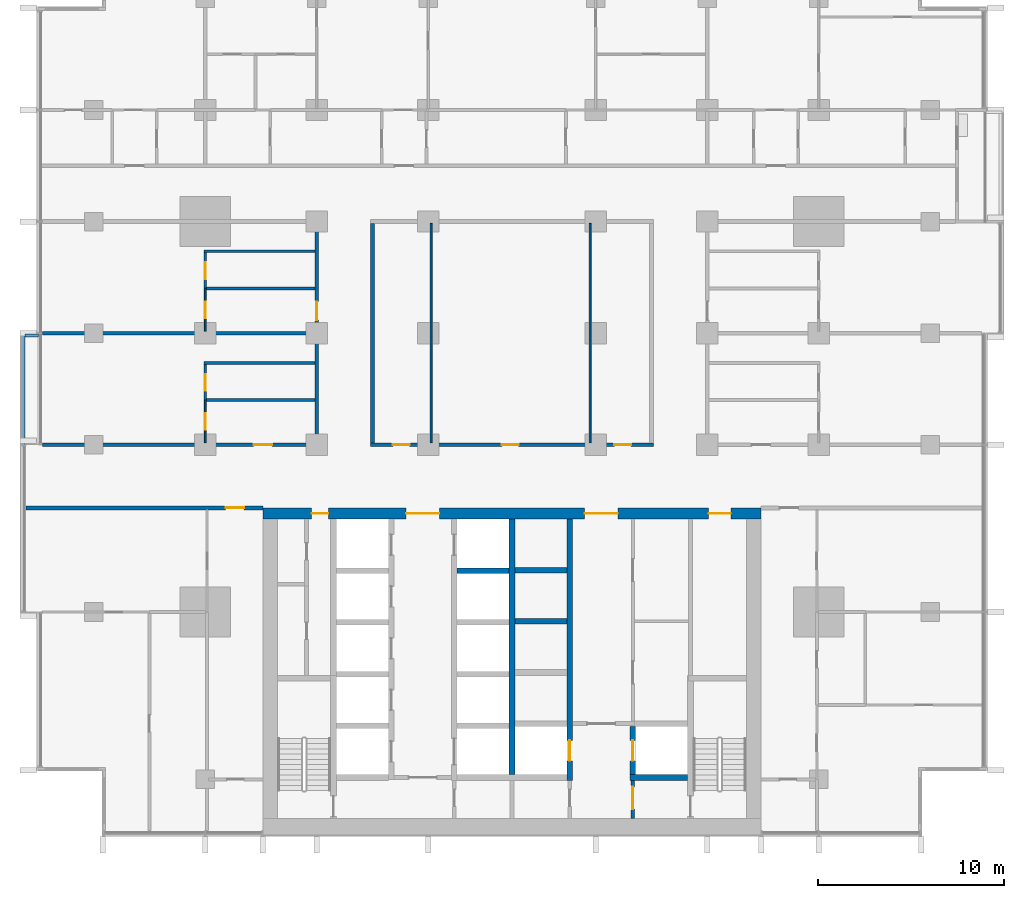
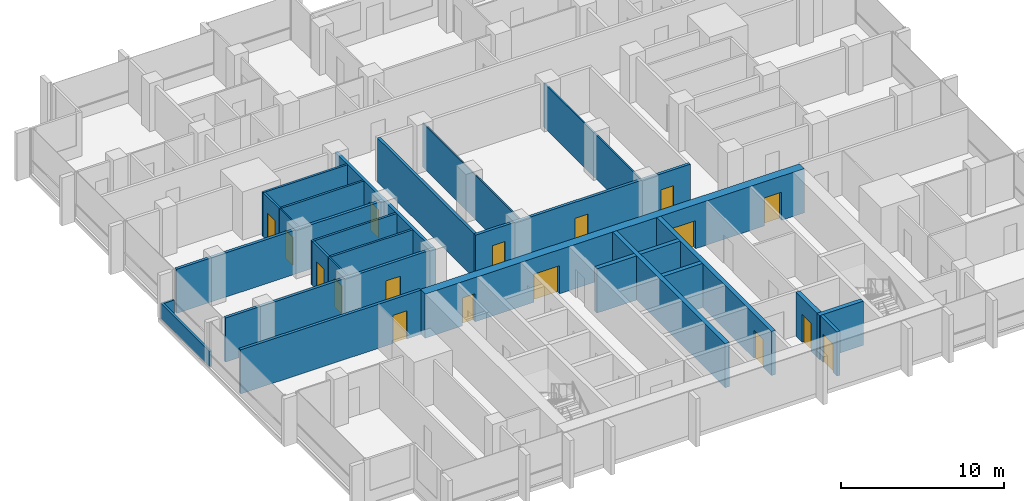
# One storey, part 8 of 17: 27 walls, 17 doors, 17 openings.
"""IFC4 building model written with IfcOpenShell, lengths in metres."""

import ifcopenshell
import ifcopenshell.guid

model = None  # the IFC model being written
_history = None  # IfcOwnerHistory: only IFC2X3 demands one
_inside = {}  # id of a spatial element -> (the spatial element, [elements in it])
_under = {}  # id of a project, library or spatial element -> (it, [spatial elements below it])
_declared = {}  # id of a project -> (the project, [libraries it declares])
_typed = {}  # id of a type object -> (the type object, [elements of that type])
_made_of = {}  # id of a material, layer set ... -> (it, [elements and type objects made of it])


def new_model(schema):
    """Start an empty IFC model of exactly this schema.

    Asked for "IFC4X3", IfcOpenShell would pick the latest addendum, in which some entities
    have other attributes; the version numbers below select the first issue.
    IFC2X3 requires an IfcOwnerHistory on every rooted entity: one is made here for all.
    """
    global model, _history
    if schema == "IFC4X3":
        model = ifcopenshell.file(schema_version=(4, 3, 0, 0))
    else:
        model = ifcopenshell.file(schema=schema)
    _inside.clear()
    _under.clear()
    _declared.clear()
    _typed.clear()
    _made_of.clear()
    _history = None
    if model.schema == "IFC2X3":
        org = make("IfcOrganization", Name="unknown")
        user = make(
            "IfcPersonAndOrganization",
            ThePerson=make("IfcPerson", FamilyName="unknown"),
            TheOrganization=org,
        )
        app = make(
            "IfcApplication",
            ApplicationDeveloper=org,
            Version="unknown",
            ApplicationFullName="unknown",
            ApplicationIdentifier="unknown",
        )
        _history = make(
            "IfcOwnerHistory",
            OwningUser=user,
            OwningApplication=app,
            ChangeAction="ADDED",
            CreationDate=0,
        )
    return model


def make(cls, **values):
    """One entity of the class cls with the attributes given. An attribute that is None is left unset."""
    return model.create_entity(
        cls, **{name: value for name, value in values.items() if value is not None}
    )


def rooted(cls, **values):
    """An entity with a GlobalId (a new one), such as an element, a storey or a relation."""
    return make(cls, GlobalId=ifcopenshell.guid.new(), OwnerHistory=_history, **values)


def si_unit(unit_type, name, prefix=None):
    """IfcSIUnit, for example si_unit("LENGTHUNIT", "METRE", prefix="MILLI")."""
    return make("IfcSIUnit", UnitType=unit_type, Prefix=prefix, Name=name)


def assignment(units):
    """IfcUnitAssignment: the units of a project."""
    return None if units is None else make("IfcUnitAssignment", Units=units)


def point(xyz):
    """IfcCartesianPoint."""
    return None if xyz is None else make("IfcCartesianPoint", Coordinates=xyz)


def direction(xyz):
    """IfcDirection."""
    return None if xyz is None else make("IfcDirection", DirectionRatios=xyz)


def frame(location, z_axis=None, x_axis=None):
    """IfcAxis2Placement3D, a coordinate frame: its origin and axes. An axis left out is left unset."""
    return make(
        "IfcAxis2Placement3D",
        Location=point(location),
        Axis=direction(z_axis),
        RefDirection=direction(x_axis),
    )


def frame_2d(location, x_axis=None):
    """IfcAxis2Placement2D, a coordinate frame in the plane: its origin and x axis."""
    return make(
        "IfcAxis2Placement2D", Location=point(location), RefDirection=direction(x_axis)
    )


def origin():
    """The frame at (0, 0, 0) with its axes left unset."""
    return frame((0.0, 0.0, 0.0))


def place(relative_to, where):
    """IfcLocalPlacement: puts the frame where relative to a parent placement (None: the world)."""
    return make(
        "IfcLocalPlacement", PlacementRelTo=relative_to, RelativePlacement=where
    )


def context(
    kind, dimensions, precision=None, world=None, true_north=None, identifier=None
):
    """IfcGeometricRepresentationContext, for example the 3D "Model" context."""
    return make(
        "IfcGeometricRepresentationContext",
        ContextIdentifier=identifier,
        ContextType=kind,
        CoordinateSpaceDimension=dimensions,
        Precision=precision,
        WorldCoordinateSystem=world,
        TrueNorth=true_north,
    )


def subcontext(parent, identifier, kind, view, scale=None):
    """IfcGeometricRepresentationSubContext, for example "Body" below "Model"."""
    return make(
        "IfcGeometricRepresentationSubContext",
        ContextIdentifier=identifier,
        ContextType=kind,
        ParentContext=parent,
        TargetScale=scale,
        TargetView=view,
    )


def project(units=None, contexts=None):
    """IfcProject with its units and contexts."""
    return rooted(
        "IfcProject",
        Name="project",
        RepresentationContexts=contexts,
        UnitsInContext=assignment(units),
    )


def spatial(cls, under=None, at=None, **own):
    """A site, building, storey or space (cls), placed at a placement, below another one or the project."""
    s = rooted(cls, ObjectPlacement=at, **own)
    if under is not None:
        _under.setdefault(under.id(), (under, []))[1].append(s)
    return s


def profile(cls, at=None, kind="AREA", **sizes):
    """A parametric profile (cls). Its sizes go by their IFC names, for example OverallWidth=200.0."""
    return make(cls, ProfileType=kind, Position=at, **sizes)


def rectangle(**sizes):
    """IfcRectangleProfileDef."""
    return profile("IfcRectangleProfileDef", **sizes)


def extrude(swept, where, along, depth):
    """IfcExtrudedAreaSolid: the profile swept, set in the frame where, extruded along a direction by depth."""
    return make(
        "IfcExtrudedAreaSolid",
        SweptArea=swept,
        Position=where,
        ExtrudedDirection=direction(along),
        Depth=depth,
    )


def shape(context_of_items, identifier, shape_type, items):
    """IfcShapeRepresentation: the items that make up one representation, for example the "Body"."""
    return make(
        "IfcShapeRepresentation",
        ContextOfItems=context_of_items,
        RepresentationIdentifier=identifier,
        RepresentationType=shape_type,
        Items=items,
    )


def material(Name=None, Category=None):
    """IfcMaterial."""
    return make("IfcMaterial", Name=Name, Category=Category)


def layer(
    of_material, thickness, ventilated=None, Name=None, Category=None, Priority=None
):
    """IfcMaterialLayer: one layer of a wall or slab, of a material (None: an air gap)."""
    return make(
        "IfcMaterialLayer",
        Material=of_material,
        LayerThickness=thickness,
        IsVentilated=ventilated,
        Name=Name,
        Category=Category,
        Priority=Priority,
    )


def layer_set(layers, Name=None):
    """IfcMaterialLayerSet."""
    return make("IfcMaterialLayerSet", MaterialLayers=layers, LayerSetName=Name)


def made_of(thing, what):
    """Note that an element or type object is made of a material, layer set ...; save() writes the relation."""
    if what is not None:
        _made_of.setdefault(what.id(), (what, []))[1].append(thing)
    return thing


def type_object(cls, material=None, **own):
    """A type object (cls), such as IfcWallType, which elements share."""
    return made_of(rooted(cls, **own), material)


def element(
    cls,
    number,
    at=None,
    inside=None,
    cuts=None,
    type_object=None,
    material=None,
    context=None,
    identifier="Body",
    shape_type=None,
    held_by="IfcProductDefinitionShape",
    body=None,
    shapes=None,
    **own,
):
    """One element of the class cls, such as IfcWall. Its Tag is "e" and its number.

    at: its placement. inside: the storey or other place that contains it. cuts: it is an
    opening in that element (IfcRelVoidsElement). A single representation is given by context,
    identifier, shape_type and body (its items); several are given by shapes. held_by: the class
    of the entity that holds the representations. save() writes the other relations.
    """
    e = rooted(cls, Tag="e%d" % number, ObjectPlacement=at, **own)
    if body is not None:
        shapes = [shape(context, identifier, shape_type, body)]
    if shapes is not None:
        e.Representation = make(held_by, Representations=shapes)
    if inside is not None:
        _inside.setdefault(inside.id(), (inside, []))[1].append(e)
    if cuts is not None:
        rooted(
            "IfcRelVoidsElement", RelatingBuildingElement=cuts, RelatedOpeningElement=e
        )
    if type_object is not None:
        _typed.setdefault(type_object.id(), (type_object, []))[1].append(e)
    return made_of(e, material)


def fill(opening, filler):
    """IfcRelFillsElement: the door or window that sits in an opening."""
    return rooted(
        "IfcRelFillsElement",
        RelatingOpeningElement=opening,
        RelatedBuildingElement=filler,
    )


def aggregate(whole, parts):
    """IfcRelAggregates: a whole, such as a stair, and the parts it consists of."""
    return rooted("IfcRelAggregates", RelatingObject=whole, RelatedObjects=parts)


def save(model, path):
    """Write the relations noted so far, then the file.

    IfcRelAggregates (storeys below a building ...), IfcRelContainedInSpatialStructure (elements
    in a storey), IfcRelDefinesByType, IfcRelAssociatesMaterial and IfcRelDeclares: one each for
    every whole, place, type object, material and project.
    """
    for whole, parts in _under.values():
        aggregate(whole, parts)
    for where, things in _inside.values():
        rooted(
            "IfcRelContainedInSpatialStructure",
            RelatedElements=things,
            RelatingStructure=where,
        )
    for kind, things in _typed.values():
        rooted("IfcRelDefinesByType", RelatedObjects=things, RelatingType=kind)
    for what, things in _made_of.values():
        rooted("IfcRelAssociatesMaterial", RelatedObjects=things, RelatingMaterial=what)
    for by, libraries in _declared.values():
        rooted("IfcRelDeclares", RelatingContext=by, RelatedDefinitions=libraries)
    model.write(path)


model = new_model("IFC4")

# Units and contexts
model_context = context("Model", 3, precision=1e-05, world=origin(), true_north=direction((0.0, 1.0)))
body_context = subcontext(model_context, "Body", "Model", "MODEL_VIEW")
ifc_project = project(units=[si_unit("LENGTHUNIT", "METRE"), si_unit("AREAUNIT", "SQUARE_METRE"), si_unit("VOLUMEUNIT", "CUBIC_METRE"), si_unit("PLANEANGLEUNIT", "RADIAN"), si_unit("MASSUNIT", "GRAM", prefix="KILO")], contexts=[model_context])

# Site, building, storey
site_placement = place(None, origin())
site = spatial("IfcSite", under=ifc_project, at=site_placement, CompositionType="ELEMENT")
building_placement = place(site_placement, origin())
building = spatial("IfcBuilding", under=site, at=building_placement, Name="Finial Court Residences", CompositionType="ELEMENT")
storey_placement = place(building_placement, frame((0.0, 0.0, 124.300048828125)))
storey = spatial("IfcBuildingStorey", under=building, at=storey_placement, Name="L31", CompositionType="ELEMENT", Elevation=124.300048828125)

# Wall
ifc_material_1 = material(Name="Gypsum board")
ifc_layer_1 = layer(ifc_material_1, 0.02490234375)
ifc_material_2 = material(Name="Acoustic mineral wool in double frame")
ifc_layer_2 = layer(ifc_material_2, 0.14990234375)
ifc_layer_3 = layer(ifc_material_1, 0.02490234375)
ifc_layer_set_1 = layer_set([ifc_layer_1, ifc_layer_2, ifc_layer_3], Name="Acoustic party wall 200, 1 hour")
wall_type_1 = type_object("IfcWallType", Name="Acoustic party wall 200, 1 hour", PredefinedType="PARTITIONING", material=ifc_layer_set_1)
wall_1_placement = place(storey_placement, frame((-25.25, 1.5, 0.0), z_axis=(0.0, 0.0, 1.0), x_axis=(1.0, 0.0, 0.0)))
element("IfcWall", 1, at=wall_1_placement, inside=storey, type_object=wall_type_1, Name="Partition L31-017", PredefinedType="PARTITIONING", context=body_context, shape_type="SweptSolid", body=[
    extrude(rectangle(XDim=14.64990234375, YDim=0.199951171875, at=frame_2d((7.324951171875, 0.0))), origin(), (0.0, 0.0, 1.0), 3.300048828125),
])

# Wall, openings, doors
ifc_material_3 = material(Name="Concrete C70/85", Category="concrete")
ifc_layer_4 = layer(ifc_material_3, 0.60009765625)
ifc_layer_set_2 = layer_set([ifc_layer_4], Name="Core outer wall 600 Concrete C70/85")
wall_type_2 = type_object("IfcWallType", Name="Core outer wall 600 Concrete C70/85", PredefinedType="SHEAR", material=ifc_layer_set_2)
wall_2_placement = place(storey_placement, frame((-13.39990234375, -8.199951171875, 0.0), z_axis=(0.0, 0.0, 1.0), x_axis=(1.0, 0.0, 0.0)))
wall_2 = element("IfcWall", 2, at=wall_2_placement, inside=storey, type_object=wall_type_2, Name="Core outer wall L31-02", PredefinedType="SHEAR", context=body_context, shape_type="SweptSolid", body=[
    extrude(rectangle(XDim=26.7998046875, YDim=0.60009765625, at=frame_2d((13.39990234375, 0.0))), origin(), (0.0, 0.0, 1.0), 3.300048828125),
])
opening_1_placement = place(wall_2_placement, frame((7.699951171875, 0.0, 0.0)))
opening_1 = element("IfcOpeningElement", 3, at=opening_1_placement, cuts=wall_2, Name="Opening L31-C04", PredefinedType="OPENING", context=body_context, shape_type="SweptSolid", body=[
    extrude(rectangle(XDim=1.800048828125, YDim=2.10009765625, at=frame_2d((0.89990234375, 1.050048828125))), frame((0.0, 0.31005859375, 0.0), z_axis=(0.0, -1.0, 0.0), x_axis=(1.0, 0.0, 0.0)), (0.0, 0.0, 1.0), 0.6201171875),
])
opening_2_placement = place(wall_2_placement, frame((17.300048828125, 0.0, 0.0)))
opening_2 = element("IfcOpeningElement", 4, at=opening_2_placement, cuts=wall_2, Name="Opening L31-C05", PredefinedType="OPENING", context=body_context, shape_type="SweptSolid", body=[
    extrude(rectangle(XDim=1.800048828125, YDim=2.10009765625, at=frame_2d((0.89990234375, 1.050048828125))), frame((0.0, 0.31005859375, 0.0), z_axis=(0.0, -1.0, 0.0), x_axis=(1.0, 0.0, 0.0)), (0.0, 0.0, 1.0), 0.6201171875),
])
opening_3_placement = place(wall_2_placement, frame((2.625, 0.0, 0.0)))
opening_3 = element("IfcOpeningElement", 5, at=opening_3_placement, cuts=wall_2, Name="Opening L31-C08", PredefinedType="OPENING", context=body_context, shape_type="SweptSolid", body=[
    extrude(rectangle(XDim=0.89990234375, YDim=2.10009765625, at=frame_2d((0.449951171875, 1.050048828125))), frame((0.0, 0.31005859375, 0.0), z_axis=(0.0, -1.0, 0.0), x_axis=(1.0, 0.0, 0.0)), (0.0, 0.0, 1.0), 0.6201171875),
])
opening_4_placement = place(wall_2_placement, frame((23.97509765625, 0.0, 0.0)))
opening_4 = element("IfcOpeningElement", 6, at=opening_4_placement, cuts=wall_2, Name="Opening L31-C09", PredefinedType="OPENING", context=body_context, shape_type="SweptSolid", body=[
    extrude(rectangle(XDim=1.199951171875, YDim=2.10009765625, at=frame_2d((0.60009765625, 1.050048828125))), frame((0.0, 0.31005859375, 0.0), z_axis=(0.0, -1.0, 0.0), x_axis=(1.0, 0.0, 0.0)), (0.0, 0.0, 1.0), 0.6201171875),
])
ifc_material_4 = material(Name="Steel fire door", Category="steel")
door_type_1 = type_object("IfcDoorType", Name="Lift lobby door 1800 x 2100 EI 60", OperationType="DOUBLE_DOOR_SINGLE_SWING", PredefinedType="DOOR", material=ifc_material_4)
door_1_placement = place(opening_1_placement, origin())
door_1 = element("IfcDoor", 7, at=door_1_placement, inside=storey, type_object=door_type_1, Name="Lift lobby door L31-C04", OperationType="DOUBLE_DOOR_SINGLE_SWING", OverallHeight=2.10009765625, OverallWidth=1.800048828125, PredefinedType="DOOR", context=body_context, shape_type="SweptSolid", body=[
    extrude(rectangle(XDim=1.800048828125, YDim=2.10009765625, at=frame_2d((0.89990234375, 1.050048828125))), frame((0.0, 0.02490234375, 0.0), z_axis=(0.0, -1.0, 0.0), x_axis=(1.0, 0.0, 0.0)), (0.0, 0.0, 1.0), 0.050048828125),
])
fill(opening_1, door_1)
door_2_placement = place(opening_2_placement, origin())
door_2 = element("IfcDoor", 8, at=door_2_placement, inside=storey, type_object=door_type_1, Name="Lift lobby door L31-C05", OperationType="DOUBLE_DOOR_SINGLE_SWING", OverallHeight=2.10009765625, OverallWidth=1.800048828125, PredefinedType="DOOR", context=body_context, shape_type="SweptSolid", body=[
    extrude(rectangle(XDim=1.800048828125, YDim=2.10009765625, at=frame_2d((0.89990234375, 1.050048828125))), frame((0.0, 0.02490234375, 0.0), z_axis=(0.0, -1.0, 0.0), x_axis=(1.0, 0.0, 0.0)), (0.0, 0.0, 1.0), 0.050048828125),
])
fill(opening_2, door_2)
door_type_2 = type_object("IfcDoorType", Name="Riser room door 1200 x 2100 EI 90", OperationType="NOTDEFINED", PredefinedType="DOOR", material=ifc_material_4)
door_3_placement = place(opening_4_placement, origin())
door_3 = element("IfcDoor", 9, at=door_3_placement, inside=storey, type_object=door_type_2, Name="Riser room door L31-C09", OperationType="SINGLE_SWING_RIGHT", OverallHeight=2.10009765625, OverallWidth=1.199951171875, PredefinedType="DOOR", context=body_context, shape_type="SweptSolid", body=[
    extrude(rectangle(XDim=1.199951171875, YDim=2.10009765625, at=frame_2d((0.60009765625, 1.050048828125))), frame((0.0, 0.02490234375, 0.0), z_axis=(0.0, -1.0, 0.0), x_axis=(1.0, 0.0, 0.0)), (0.0, 0.0, 1.0), 0.050048828125),
])
fill(opening_4, door_3)
door_type_3 = type_object("IfcDoorType", Name="Riser room door 900 x 2100 EI 90", OperationType="NOTDEFINED", PredefinedType="DOOR", material=ifc_material_4)
door_4_placement = place(opening_3_placement, origin())
door_4 = element("IfcDoor", 10, at=door_4_placement, inside=storey, type_object=door_type_3, Name="Riser room door L31-C08", OperationType="SINGLE_SWING_RIGHT", OverallHeight=2.10009765625, OverallWidth=0.89990234375, PredefinedType="DOOR", context=body_context, shape_type="SweptSolid", body=[
    extrude(rectangle(XDim=0.89990234375, YDim=2.10009765625, at=frame_2d((0.449951171875, 1.050048828125))), frame((0.0, 0.02490234375, 0.0), z_axis=(0.0, -1.0, 0.0), x_axis=(1.0, 0.0, 0.0)), (0.0, 0.0, 1.0), 0.050048828125),
])
fill(opening_3, door_4)

# Wall, opening, door
ifc_layer_5 = layer(ifc_material_1, 0.02490234375)
ifc_layer_6 = layer(ifc_material_2, 0.14990234375)
ifc_layer_7 = layer(ifc_material_1, 0.02490234375)
ifc_layer_set_3 = layer_set([ifc_layer_5, ifc_layer_6, ifc_layer_7], Name="Corridor wall 200, 1 hour")
wall_type_3 = type_object("IfcWallType", Name="Corridor wall 200, 1 hour", PredefinedType="PARTITIONING", material=ifc_layer_set_3)
wall_3_placement = place(storey_placement, frame((-26.14990234375, -7.89990234375, 0.0), z_axis=(0.0, 0.0, 1.0), x_axis=(1.0, 0.0, 0.0)))
wall_3 = element("IfcWall", 11, at=wall_3_placement, inside=storey, type_object=wall_type_3, Name="Partition L31-008", PredefinedType="PARTITIONING", context=body_context, shape_type="SweptSolid", body=[
    extrude(rectangle(XDim=12.75, YDim=0.199951171875, at=frame_2d((6.375, 0.0))), origin(), (0.0, 0.0, 1.0), 3.300048828125),
])
opening_5_placement = place(wall_3_placement, frame((10.75, 0.0, 0.0)))
opening_5 = element("IfcOpeningElement", 12, at=opening_5_placement, cuts=wall_3, Name="Opening L31-D005", PredefinedType="OPENING", context=body_context, shape_type="SweptSolid", body=[
    extrude(rectangle(XDim=1.0, YDim=2.10009765625, at=frame_2d((0.5, 1.050048828125))), frame((0.0, 0.10986328125, 0.0), z_axis=(0.0, -1.0, 0.0), x_axis=(1.0, 0.0, 0.0)), (0.0, 0.0, 1.0), 0.219970703125),
])
ifc_material_5 = material(Name="Timber door leaf in hollow metal frame", Category="wood")
door_type_4 = type_object("IfcDoorType", Name="Fire door set 1000 x 2100, 30 minutes", OperationType="SINGLE_SWING_LEFT", PredefinedType="DOOR", material=ifc_material_5)
door_5_placement = place(opening_5_placement, origin())
door_5 = element("IfcDoor", 13, at=door_5_placement, inside=storey, type_object=door_type_4, Name="Door L31-D005", OperationType="SINGLE_SWING_RIGHT", OverallHeight=2.10009765625, OverallWidth=1.0, PredefinedType="DOOR", context=body_context, shape_type="SweptSolid", body=[
    extrude(rectangle(XDim=1.0, YDim=2.10009765625, at=frame_2d((0.5, 1.050048828125))), frame((0.0, 0.02490234375, 0.0), z_axis=(0.0, -1.0, 0.0), x_axis=(1.0, 0.0, 0.0)), (0.0, 0.0, 1.0), 0.050048828125),
])
fill(opening_5, door_5)

wall_4_placement = place(storey_placement, frame((-25.25, -4.5, 0.0), z_axis=(0.0, 0.0, 1.0), x_axis=(1.0, 0.0, 0.0)))
wall_4 = element("IfcWall", 14, at=wall_4_placement, inside=storey, type_object=wall_type_3, Name="Partition L31-010", PredefinedType="PARTITIONING", context=body_context, shape_type="SweptSolid", body=[
    extrude(rectangle(XDim=14.85009765625, YDim=0.199951171875, at=frame_2d((7.425048828125, 0.0))), origin(), (0.0, 0.0, 1.0), 3.300048828125),
])
opening_6_placement = place(wall_4_placement, frame((11.35009765625, 0.0, 0.0)))
opening_6 = element("IfcOpeningElement", 15, at=opening_6_placement, cuts=wall_4, Name="Opening L31-D007", PredefinedType="OPENING", context=body_context, shape_type="SweptSolid", body=[
    extrude(rectangle(XDim=1.0, YDim=2.10009765625, at=frame_2d((0.5, 1.050048828125))), frame((0.0, 0.10986328125, 0.0), z_axis=(0.0, -1.0, 0.0), x_axis=(1.0, 0.0, 0.0)), (0.0, 0.0, 1.0), 0.219970703125),
])
door_6_placement = place(opening_6_placement, origin())
door_6 = element("IfcDoor", 16, at=door_6_placement, inside=storey, type_object=door_type_4, Name="Door L31-D007", OperationType="SINGLE_SWING_LEFT", OverallHeight=2.10009765625, OverallWidth=1.0, PredefinedType="DOOR", context=body_context, shape_type="SweptSolid", body=[
    extrude(rectangle(XDim=1.0, YDim=2.10009765625, at=frame_2d((0.5, 1.050048828125))), frame((0.0, 0.02490234375, 0.0), z_axis=(0.0, -1.0, 0.0), x_axis=(1.0, 0.0, 0.0)), (0.0, 0.0, 1.0), 0.050048828125),
])
fill(opening_6, door_6)

# Wall, openings, doors
wall_5_placement = place(storey_placement, frame((-7.60009765625, -4.5, 0.0), z_axis=(0.0, 0.0, 1.0), x_axis=(1.0, 0.0, 0.0)))
wall_5 = element("IfcWall", 17, at=wall_5_placement, inside=storey, type_object=wall_type_3, Name="Partition L31-011", PredefinedType="PARTITIONING", context=body_context, shape_type="SweptSolid", body=[
    extrude(rectangle(XDim=15.2001953125, YDim=0.199951171875, at=frame_2d((7.60009765625, 0.0))), origin(), (0.0, 0.0, 1.0), 3.300048828125),
])
opening_7_placement = place(wall_5_placement, frame((1.199951171875, 0.0, 0.0)))
opening_7 = element("IfcOpeningElement", 18, at=opening_7_placement, cuts=wall_5, Name="Opening L31-D008", PredefinedType="OPENING", context=body_context, shape_type="SweptSolid", body=[
    extrude(rectangle(XDim=0.89990234375, YDim=2.10009765625, at=frame_2d((0.449951171875, 1.050048828125))), frame((0.0, 0.10986328125, 0.0), z_axis=(0.0, -1.0, 0.0), x_axis=(1.0, 0.0, 0.0)), (0.0, 0.0, 1.0), 0.219970703125),
])
opening_8_placement = place(wall_5_placement, frame((7.050048828125, 0.0, 0.0)))
opening_8 = element("IfcOpeningElement", 19, at=opening_8_placement, cuts=wall_5, Name="Opening L31-D009", PredefinedType="OPENING", context=body_context, shape_type="SweptSolid", body=[
    extrude(rectangle(XDim=0.89990234375, YDim=2.10009765625, at=frame_2d((0.449951171875, 1.050048828125))), frame((0.0, 0.10986328125, 0.0), z_axis=(0.0, -1.0, 0.0), x_axis=(1.0, 0.0, 0.0)), (0.0, 0.0, 1.0), 0.219970703125),
])
opening_9_placement = place(wall_5_placement, frame((13.10009765625, 0.0, 0.0)))
opening_9 = element("IfcOpeningElement", 20, at=opening_9_placement, cuts=wall_5, Name="Opening L31-D010", PredefinedType="OPENING", context=body_context, shape_type="SweptSolid", body=[
    extrude(rectangle(XDim=0.89990234375, YDim=2.10009765625, at=frame_2d((0.449951171875, 1.050048828125))), frame((0.0, 0.10986328125, 0.0), z_axis=(0.0, -1.0, 0.0), x_axis=(1.0, 0.0, 0.0)), (0.0, 0.0, 1.0), 0.219970703125),
])
door_type_5 = type_object("IfcDoorType", Name="Fire door set 900 x 2100, 30 minutes", OperationType="SINGLE_SWING_LEFT", PredefinedType="DOOR", material=ifc_material_5)
door_7_placement = place(opening_7_placement, origin())
door_7 = element("IfcDoor", 21, at=door_7_placement, inside=storey, type_object=door_type_5, Name="Door L31-D008", OperationType="SINGLE_SWING_RIGHT", OverallHeight=2.10009765625, OverallWidth=0.89990234375, PredefinedType="DOOR", context=body_context, shape_type="SweptSolid", body=[
    extrude(rectangle(XDim=0.89990234375, YDim=2.10009765625, at=frame_2d((0.449951171875, 1.050048828125))), frame((0.0, 0.02490234375, 0.0), z_axis=(0.0, -1.0, 0.0), x_axis=(1.0, 0.0, 0.0)), (0.0, 0.0, 1.0), 0.050048828125),
])
fill(opening_7, door_7)
door_8_placement = place(opening_8_placement, origin())
door_8 = element("IfcDoor", 22, at=door_8_placement, inside=storey, type_object=door_type_5, Name="Door L31-D009", OperationType="SINGLE_SWING_RIGHT", OverallHeight=2.10009765625, OverallWidth=0.89990234375, PredefinedType="DOOR", context=body_context, shape_type="SweptSolid", body=[
    extrude(rectangle(XDim=0.89990234375, YDim=2.10009765625, at=frame_2d((0.449951171875, 1.050048828125))), frame((0.0, 0.02490234375, 0.0), z_axis=(0.0, -1.0, 0.0), x_axis=(1.0, 0.0, 0.0)), (0.0, 0.0, 1.0), 0.050048828125),
])
fill(opening_8, door_8)
door_9_placement = place(opening_9_placement, origin())
door_9 = element("IfcDoor", 23, at=door_9_placement, inside=storey, type_object=door_type_5, Name="Door L31-D010", OperationType="SINGLE_SWING_LEFT", OverallHeight=2.10009765625, OverallWidth=0.89990234375, PredefinedType="DOOR", context=body_context, shape_type="SweptSolid", body=[
    extrude(rectangle(XDim=0.89990234375, YDim=2.10009765625, at=frame_2d((0.449951171875, 1.050048828125))), frame((0.0, 0.02490234375, 0.0), z_axis=(0.0, -1.0, 0.0), x_axis=(1.0, 0.0, 0.0)), (0.0, 0.0, 1.0), 0.050048828125),
])
fill(opening_9, door_9)

# Wall, opening, door
wall_6_placement = place(storey_placement, frame((-10.5, -4.39990234375, 0.0), z_axis=(0.0, 0.0, 1.0), x_axis=(0.0, 1.0, 0.0)))
wall_6 = element("IfcWall", 24, at=wall_6_placement, inside=storey, type_object=wall_type_3, Name="Partition L31-056", PredefinedType="PARTITIONING", context=body_context, shape_type="SweptSolid", body=[
    extrude(rectangle(XDim=11.7998046875, YDim=0.199951171875, at=frame_2d((5.89990234375, 0.0))), origin(), (0.0, 0.0, 1.0), 3.300048828125),
])
opening_10_placement = place(wall_6_placement, frame((6.60009765625, 0.0, 0.0)))
opening_10 = element("IfcOpeningElement", 25, at=opening_10_placement, cuts=wall_6, Name="Opening L31-D031", PredefinedType="OPENING", context=body_context, shape_type="SweptSolid", body=[
    extrude(rectangle(XDim=1.0, YDim=2.10009765625, at=frame_2d((0.5, 1.050048828125))), frame((0.0, 0.10986328125, 0.0), z_axis=(0.0, -1.0, 0.0), x_axis=(1.0, 0.0, 0.0)), (0.0, 0.0, 1.0), 0.219970703125),
])
door_10_placement = place(opening_10_placement, origin())
door_10 = element("IfcDoor", 26, at=door_10_placement, inside=storey, type_object=door_type_4, Name="Door L31-D031", OperationType="SINGLE_SWING_LEFT", OverallHeight=2.10009765625, OverallWidth=1.0, PredefinedType="DOOR", context=body_context, shape_type="SweptSolid", body=[
    extrude(rectangle(XDim=1.0, YDim=2.10009765625, at=frame_2d((0.5, 1.050048828125))), frame((0.0, 0.02490234375, 0.0), z_axis=(0.0, -1.0, 0.0), x_axis=(1.0, 0.0, 0.0)), (0.0, 0.0, 1.0), 0.050048828125),
])
fill(opening_10, door_10)

# Wall
wall_7_placement = place(storey_placement, frame((-7.5, -4.39990234375, 0.0), z_axis=(0.0, 0.0, 1.0), x_axis=(0.0, 1.0, 0.0)))
element("IfcWall", 27, at=wall_7_placement, inside=storey, type_object=wall_type_3, Name="Partition L31-058", PredefinedType="PARTITIONING", context=body_context, shape_type="SweptSolid", body=[
    extrude(rectangle(XDim=11.7998046875, YDim=0.199951171875, at=frame_2d((5.89990234375, 0.0))), origin(), (0.0, 0.0, 1.0), 3.300048828125),
])

# Wall, opening, door
ifc_material_6 = material(Name="Fire-rated gypsum board partition")
ifc_layer_8 = layer(ifc_material_6, 0.199951171875)
ifc_layer_set_4 = layer_set([ifc_layer_8], Name="Firefighting lobby wall 200 EI 120")
wall_type_4 = type_object("IfcWallType", Name="Firefighting lobby wall 200 EI 120", PredefinedType="PARTITIONING", material=ifc_layer_set_4)
wall_8_placement = place(storey_placement, frame((6.5, -22.550048828125, 0.0), z_axis=(0.0, 0.0, 1.0), x_axis=(0.0, -1.0, 0.0)))
wall_8 = element("IfcWall", 28, at=wall_8_placement, inside=storey, type_object=wall_type_4, Name="Core partition L31-34", PredefinedType="PARTITIONING", context=body_context, shape_type="SweptSolid", body=[
    extrude(rectangle(XDim=2.050048828125, YDim=0.199951171875, at=frame_2d((1.02490234375, 0.0))), origin(), (0.0, 0.0, 1.0), 3.300048828125),
])
opening_11_placement = place(wall_8_placement, frame((0.35009765625, 0.0, 0.0)))
opening_11 = element("IfcOpeningElement", 29, at=opening_11_placement, cuts=wall_8, Name="Opening L31-C01", PredefinedType="OPENING", context=body_context, shape_type="SweptSolid", body=[
    extrude(rectangle(XDim=1.199951171875, YDim=2.10009765625, at=frame_2d((0.60009765625, 1.050048828125))), frame((0.0, 0.10986328125, 0.0), z_axis=(0.0, -1.0, 0.0), x_axis=(1.0, 0.0, 0.0)), (0.0, 0.0, 1.0), 0.219970703125),
])
door_type_6 = type_object("IfcDoorType", Name="Firefighting lobby door 1200 x 2100 EI 90", OperationType="NOTDEFINED", PredefinedType="DOOR", material=ifc_material_4)
door_11_placement = place(opening_11_placement, origin())
door_11 = element("IfcDoor", 30, at=door_11_placement, inside=storey, type_object=door_type_6, Name="Firefighting lobby door L31-C01", OperationType="SINGLE_SWING_RIGHT", OverallHeight=2.10009765625, OverallWidth=1.199951171875, PredefinedType="DOOR", context=body_context, shape_type="SweptSolid", body=[
    extrude(rectangle(XDim=1.199951171875, YDim=2.10009765625, at=frame_2d((0.60009765625, 1.050048828125))), frame((0.0, 0.02490234375, 0.0), z_axis=(0.0, -1.0, 0.0), x_axis=(1.0, 0.0, 0.0)), (0.0, 0.0, 1.0), 0.050048828125),
])
fill(opening_11, door_11)

ifc_layer_9 = layer(ifc_material_1, 0.012451171875)
ifc_material_7 = material(Name="Mineral wool in light-gauge frame")
ifc_layer_10 = layer(ifc_material_7, 0.074951171875)
ifc_layer_11 = layer(ifc_material_1, 0.012451171875)
ifc_layer_set_5 = layer_set([ifc_layer_9, ifc_layer_10, ifc_layer_11], Name="Gypsum board partition 100")
wall_type_5 = type_object("IfcWallType", Name="Gypsum board partition 100", PredefinedType="PARTITIONING", material=ifc_layer_set_5)
wall_9_placement = place(storey_placement, frame((-16.5, -4.39990234375, 0.0), z_axis=(0.0, 0.0, 1.0), x_axis=(0.0, 1.0, 0.0)))
wall_9 = element("IfcWall", 31, at=wall_9_placement, inside=storey, type_object=wall_type_5, Name="Partition L31-046", PredefinedType="PARTITIONING", context=body_context, shape_type="SweptSolid", body=[
    extrude(rectangle(XDim=2.2998046875, YDim=0.10009765625, at=frame_2d((1.14990234375, 0.0))), origin(), (0.0, 0.0, 1.0), 3.300048828125),
])
opening_12_placement = place(wall_9_placement, frame((0.699951171875, 0.0, 0.0)))
opening_12 = element("IfcOpeningElement", 32, at=opening_12_placement, cuts=wall_9, Name="Opening L31-D025", PredefinedType="OPENING", context=body_context, shape_type="SweptSolid", body=[
    extrude(rectangle(XDim=0.89990234375, YDim=2.10009765625, at=frame_2d((0.449951171875, 1.050048828125))), frame((0.0, 0.06005859375, 0.0), z_axis=(0.0, -1.0, 0.0), x_axis=(1.0, 0.0, 0.0)), (0.0, 0.0, 1.0), 0.1201171875),
])
ifc_material_8 = material(Name="Timber door leaf in timber frame", Category="wood")
door_type_7 = type_object("IfcDoorType", Name="Door set 900 x 2100", OperationType="SINGLE_SWING_LEFT", PredefinedType="DOOR", material=ifc_material_8)
door_12_placement = place(opening_12_placement, origin())
door_12 = element("IfcDoor", 33, at=door_12_placement, inside=storey, type_object=door_type_7, Name="Door L31-D025", OperationType="SINGLE_SWING_RIGHT", OverallHeight=2.10009765625, OverallWidth=0.89990234375, PredefinedType="DOOR", context=body_context, shape_type="SweptSolid", body=[
    extrude(rectangle(XDim=0.89990234375, YDim=2.10009765625, at=frame_2d((0.449951171875, 1.050048828125))), frame((0.0, 0.02490234375, 0.0), z_axis=(0.0, -1.0, 0.0), x_axis=(1.0, 0.0, 0.0)), (0.0, 0.0, 1.0), 0.050048828125),
])
fill(opening_12, door_12)

wall_10_placement = place(storey_placement, frame((-16.5, 1.60009765625, 0.0), z_axis=(0.0, 0.0, 1.0), x_axis=(0.0, 1.0, 0.0)))
wall_10 = element("IfcWall", 34, at=wall_10_placement, inside=storey, type_object=wall_type_5, Name="Partition L31-047", PredefinedType="PARTITIONING", context=body_context, shape_type="SweptSolid", body=[
    extrude(rectangle(XDim=2.2998046875, YDim=0.10009765625, at=frame_2d((1.14990234375, 0.0))), origin(), (0.0, 0.0, 1.0), 3.300048828125),
])
opening_13_placement = place(wall_10_placement, frame((0.699951171875, 0.0, 0.0)))
opening_13 = element("IfcOpeningElement", 35, at=opening_13_placement, cuts=wall_10, Name="Opening L31-D026", PredefinedType="OPENING", context=body_context, shape_type="SweptSolid", body=[
    extrude(rectangle(XDim=0.89990234375, YDim=2.10009765625, at=frame_2d((0.449951171875, 1.050048828125))), frame((0.0, 0.06005859375, 0.0), z_axis=(0.0, -1.0, 0.0), x_axis=(1.0, 0.0, 0.0)), (0.0, 0.0, 1.0), 0.1201171875),
])
door_13_placement = place(opening_13_placement, origin())
door_13 = element("IfcDoor", 36, at=door_13_placement, inside=storey, type_object=door_type_7, Name="Door L31-D026", OperationType="SINGLE_SWING_RIGHT", OverallHeight=2.10009765625, OverallWidth=0.89990234375, PredefinedType="DOOR", context=body_context, shape_type="SweptSolid", body=[
    extrude(rectangle(XDim=0.89990234375, YDim=2.10009765625, at=frame_2d((0.449951171875, 1.050048828125))), frame((0.0, 0.02490234375, 0.0), z_axis=(0.0, -1.0, 0.0), x_axis=(1.0, 0.0, 0.0)), (0.0, 0.0, 1.0), 0.050048828125),
])
fill(opening_13, door_13)

# Walls
for number, where, z_axis, x_axis, name in (
    (37, (-4.35009765625, -4.39990234375, 0.0), (0.0, 0.0, 1.0), (0.0, 1.0, 0.0), "Partition L31-062"),
    (38, (4.199951171875, -4.39990234375, 0.0), (0.0, 0.0, 1.0), (0.0, 1.0, 0.0), "Partition L31-064"),
):
    element("IfcWall", number, at=place(storey_placement, frame(where, z_axis=z_axis, x_axis=x_axis)), inside=storey, type_object=wall_type_5, Name=name, PredefinedType="PARTITIONING", context=body_context, shape_type="SweptSolid", body=[
        extrude(rectangle(XDim=11.7998046875, YDim=0.10009765625, at=frame_2d((5.89990234375, 0.0))), origin(), (0.0, 0.0, 1.0), 3.300048828125),
    ])
ifc_material_9 = material(Name="Moisture-resistant gypsum board")
ifc_layer_12 = layer(ifc_material_9, 0.012451171875)
ifc_layer_13 = layer(ifc_material_7, 0.125)
ifc_layer_14 = layer(ifc_material_9, 0.012451171875)
ifc_layer_set_6 = layer_set([ifc_layer_12, ifc_layer_13, ifc_layer_14], Name="Gypsum board wet-area partition 150")
wall_type_6 = type_object("IfcWallType", Name="Gypsum board wet-area partition 150", PredefinedType="PARTITIONING", material=ifc_layer_set_6)
wall_11_placement = place(storey_placement, frame((-16.425048828125, -2.10009765625, 0.0), z_axis=(0.0, 0.0, 1.0), x_axis=(1.0, 0.0, 0.0)))
element("IfcWall", 39, at=wall_11_placement, inside=storey, type_object=wall_type_6, Name="Partition L31-013", PredefinedType="PARTITIONING", context=body_context, shape_type="SweptSolid", body=[
    extrude(rectangle(XDim=5.824951171875, YDim=0.14990234375, at=frame_2d((2.91259765625, 0.0))), origin(), (0.0, 0.0, 1.0), 3.300048828125),
])
wall_12_placement = place(storey_placement, frame((-16.574951171875, -0.10009765625, 0.0), z_axis=(0.0, 0.0, 1.0), x_axis=(1.0, 0.0, 0.0)))
element("IfcWall", 40, at=wall_12_placement, inside=storey, type_object=wall_type_6, Name="Partition L31-015", PredefinedType="PARTITIONING", context=body_context, shape_type="SweptSolid", body=[
    extrude(rectangle(XDim=5.974853515625, YDim=0.14990234375, at=frame_2d((2.9873046875, 0.0))), origin(), (0.0, 0.0, 1.0), 3.300048828125),
])
wall_13_placement = place(storey_placement, frame((-16.425048828125, 3.89990234375, 0.0), z_axis=(0.0, 0.0, 1.0), x_axis=(1.0, 0.0, 0.0)))
element("IfcWall", 41, at=wall_13_placement, inside=storey, type_object=wall_type_6, Name="Partition L31-019", PredefinedType="PARTITIONING", context=body_context, shape_type="SweptSolid", body=[
    extrude(rectangle(XDim=5.824951171875, YDim=0.14990234375, at=frame_2d((2.91259765625, 0.0))), origin(), (0.0, 0.0, 1.0), 3.300048828125),
])
wall_14_placement = place(storey_placement, frame((-16.574951171875, 5.89990234375, 0.0), z_axis=(0.0, 0.0, 1.0), x_axis=(1.0, 0.0, 0.0)))
element("IfcWall", 42, at=wall_14_placement, inside=storey, type_object=wall_type_6, Name="Partition L31-021", PredefinedType="PARTITIONING", context=body_context, shape_type="SweptSolid", body=[
    extrude(rectangle(XDim=5.974853515625, YDim=0.14990234375, at=frame_2d((2.9873046875, 0.0))), origin(), (0.0, 0.0, 1.0), 3.300048828125),
])

# Wall, opening, door
wall_15_placement = place(storey_placement, frame((-16.5, -2.10009765625, 0.0), z_axis=(0.0, 0.0, 1.0), x_axis=(0.0, 1.0, 0.0)))
wall_15 = element("IfcWall", 43, at=wall_15_placement, inside=storey, type_object=wall_type_6, Name="Partition L31-050", PredefinedType="PARTITIONING", context=body_context, shape_type="SweptSolid", body=[
    extrude(rectangle(XDim=1.925048828125, YDim=0.14990234375, at=frame_2d((0.96240234375, 0.0))), origin(), (0.0, 0.0, 1.0), 3.300048828125),
])
opening_14_placement = place(wall_15_placement, frame((0.5, 0.0, 0.0)))
opening_14 = element("IfcOpeningElement", 44, at=opening_14_placement, cuts=wall_15, Name="Opening L31-D027", PredefinedType="OPENING", context=body_context, shape_type="SweptSolid", body=[
    extrude(rectangle(XDim=0.89990234375, YDim=2.10009765625, at=frame_2d((0.449951171875, 1.050048828125))), frame((0.0, 0.0849609375, 0.0), z_axis=(0.0, -1.0, 0.0), x_axis=(1.0, 0.0, 0.0)), (0.0, 0.0, 1.0), 0.169921875),
])
door_14_placement = place(opening_14_placement, origin())
door_14 = element("IfcDoor", 45, at=door_14_placement, inside=storey, type_object=door_type_7, Name="Door L31-D027", OperationType="SINGLE_SWING_RIGHT", OverallHeight=2.10009765625, OverallWidth=0.89990234375, PredefinedType="DOOR", context=body_context, shape_type="SweptSolid", body=[
    extrude(rectangle(XDim=0.89990234375, YDim=2.10009765625, at=frame_2d((0.449951171875, 1.050048828125))), frame((0.0, 0.02490234375, 0.0), z_axis=(0.0, -1.0, 0.0), x_axis=(1.0, 0.0, 0.0)), (0.0, 0.0, 1.0), 0.050048828125),
])
fill(opening_14, door_14)

wall_16_placement = place(storey_placement, frame((-16.5, 3.89990234375, 0.0), z_axis=(0.0, 0.0, 1.0), x_axis=(0.0, 1.0, 0.0)))
wall_16 = element("IfcWall", 46, at=wall_16_placement, inside=storey, type_object=wall_type_6, Name="Partition L31-051", PredefinedType="PARTITIONING", context=body_context, shape_type="SweptSolid", body=[
    extrude(rectangle(XDim=1.925048828125, YDim=0.14990234375, at=frame_2d((0.96240234375, 0.0))), origin(), (0.0, 0.0, 1.0), 3.300048828125),
])
opening_15_placement = place(wall_16_placement, frame((0.5, 0.0, 0.0)))
opening_15 = element("IfcOpeningElement", 47, at=opening_15_placement, cuts=wall_16, Name="Opening L31-D028", PredefinedType="OPENING", context=body_context, shape_type="SweptSolid", body=[
    extrude(rectangle(XDim=0.89990234375, YDim=2.10009765625, at=frame_2d((0.449951171875, 1.050048828125))), frame((0.0, 0.0849609375, 0.0), z_axis=(0.0, -1.0, 0.0), x_axis=(1.0, 0.0, 0.0)), (0.0, 0.0, 1.0), 0.169921875),
])
door_15_placement = place(opening_15_placement, origin())
door_15 = element("IfcDoor", 48, at=door_15_placement, inside=storey, type_object=door_type_7, Name="Door L31-D028", OperationType="SINGLE_SWING_LEFT", OverallHeight=2.10009765625, OverallWidth=0.89990234375, PredefinedType="DOOR", context=body_context, shape_type="SweptSolid", body=[
    extrude(rectangle(XDim=0.89990234375, YDim=2.10009765625, at=frame_2d((0.449951171875, 1.050048828125))), frame((0.0, 0.02490234375, 0.0), z_axis=(0.0, -1.0, 0.0), x_axis=(1.0, 0.0, 0.0)), (0.0, 0.0, 1.0), 0.050048828125),
])
fill(opening_15, door_15)

# Walls
ifc_material_10 = material(Name="Concrete C35/45", Category="concrete")
ifc_layer_15 = layer(ifc_material_10, 0.14990234375)
ifc_layer_set_7 = layer_set([ifc_layer_15], Name="Ledge parapet, Concrete C35/45 150")
wall_type_7 = type_object("IfcWallType", Name="Ledge parapet, Concrete C35/45 150", PredefinedType="PARAPET", material=ifc_layer_set_7)
wall_17_placement = place(storey_placement, frame((-26.27490234375, -4.5400390625, 0.0), z_axis=(0.0, 0.0, 1.0), x_axis=(0.0, 1.0, 0.0)))
element("IfcWall", 49, at=wall_17_placement, inside=storey, type_object=wall_type_7, Name="E-L31-LED3-P1", PredefinedType="PARAPET", context=body_context, shape_type="SweptSolid", body=[
    extrude(rectangle(XDim=5.989990234375, YDim=0.14990234375, at=frame_2d((2.9951171875, 0.0))), origin(), (0.0, 0.0, 1.0), 1.14990234375),
])
wall_18_placement = place(storey_placement, frame((-26.199951171875, 1.375, 0.0), z_axis=(0.0, 0.0, 1.0), x_axis=(1.0, 0.0, 0.0)))
element("IfcWall", 50, at=wall_18_placement, inside=storey, type_object=wall_type_7, Name="E-L31-LED3-P2", PredefinedType="PARAPET", context=body_context, shape_type="SweptSolid", body=[
    extrude(rectangle(XDim=0.739990234375, YDim=0.14990234375, at=frame_2d((0.3701171875, 0.0))), origin(), (0.0, 0.0, 1.0), 1.14990234375),
])
ifc_layer_16 = layer(ifc_material_3, 0.300048828125)
ifc_layer_set_8 = layer_set([ifc_layer_16], Name="Lift shaft and stair wall 300 Concrete C70/85")
wall_type_8 = type_object("IfcWallType", Name="Lift shaft and stair wall 300 Concrete C70/85", PredefinedType="SHEAR", material=ifc_layer_set_8)
wall_19_placement = place(storey_placement, frame((6.35009765625, -22.39990234375, 0.0), z_axis=(0.0, 0.0, 1.0), x_axis=(1.0, 0.0, 0.0)))
element("IfcWall", 51, at=wall_19_placement, inside=storey, type_object=wall_type_8, Name="Core wall L31-04", PredefinedType="SHEAR", context=body_context, shape_type="SweptSolid", body=[
    extrude(rectangle(XDim=3.099853515625, YDim=0.300048828125, at=frame_2d((1.5498046875, 0.0))), origin(), (0.0, 0.0, 1.0), 3.300048828125),
])
for number, where, z_axis, x_axis, name in (
    (52, (0.14990234375, -14.0, 0.0), (0.0, 0.0, 1.0), (1.0, 0.0, 0.0), "Core wall L31-17"),
    (53, (-2.949951171875, -11.280029296875, 0.0), (0.0, 0.0, 1.0), (1.0, 0.0, 0.0), "Core wall L31-21"),
    (54, (0.14990234375, -11.25, 0.0), (0.0, 0.0, 1.0), (1.0, 0.0, 0.0), "Core wall L31-22"),
):
    element("IfcWall", number, at=place(storey_placement, frame(where, z_axis=z_axis, x_axis=x_axis)), inside=storey, type_object=wall_type_8, Name=name, PredefinedType="SHEAR", context=body_context, shape_type="SweptSolid", body=[
        extrude(rectangle(XDim=2.800048828125, YDim=0.300048828125, at=frame_2d((1.39990234375, 0.0))), origin(), (0.0, 0.0, 1.0), 3.300048828125),
    ])
wall_20_placement = place(storey_placement, frame((0.0, -22.25, 0.0), z_axis=(0.0, 0.0, 1.0), x_axis=(0.0, 1.0, 0.0)))
element("IfcWall", 55, at=wall_20_placement, inside=storey, type_object=wall_type_8, Name="Core wall L31-31", PredefinedType="SHEAR", context=body_context, shape_type="SweptSolid", body=[
    extrude(rectangle(XDim=13.75, YDim=0.300048828125, at=frame_2d((6.875, 0.0))), origin(), (0.0, 0.0, 1.0), 3.300048828125),
])

# Wall, opening, door
wall_21_placement = place(storey_placement, frame((3.10009765625, -22.550048828125, 0.0), z_axis=(0.0, 0.0, 1.0), x_axis=(0.0, 1.0, 0.0)))
wall_21 = element("IfcWall", 56, at=wall_21_placement, inside=storey, type_object=wall_type_8, Name="Core wall L31-33", PredefinedType="SHEAR", context=body_context, shape_type="SweptSolid", body=[
    extrude(rectangle(XDim=14.050048828125, YDim=0.300048828125, at=frame_2d((7.02490234375, 0.0))), origin(), (0.0, 0.0, 1.0), 3.300048828125),
])
opening_16_placement = place(wall_21_placement, frame((1.050048828125, 0.0, 0.0)))
opening_16 = element("IfcOpeningElement", 57, at=opening_16_placement, cuts=wall_21, Name="Opening L31-LD01", PredefinedType="OPENING", context=body_context, shape_type="SweptSolid", body=[
    extrude(rectangle(XDim=1.10009765625, YDim=2.10009765625, at=frame_2d((0.550048828125, 1.050048828125))), frame((0.0, 0.159912109375, 0.0), z_axis=(0.0, -1.0, 0.0), x_axis=(1.0, 0.0, 0.0)), (0.0, 0.0, 1.0), 0.320068359375),
])
ifc_material_11 = material(Name="Stainless steel lift door", Category="steel")
door_type_8 = type_object("IfcDoorType", Name="Lift landing door 1100 x 2100 EI 90", OperationType="DOUBLE_DOOR_SLIDING", PredefinedType="DOOR", material=ifc_material_11)
door_16_placement = place(opening_16_placement, origin())
door_16 = element("IfcDoor", 58, at=door_16_placement, inside=storey, type_object=door_type_8, Name="Lift landing door FF1 L31", OperationType="DOUBLE_DOOR_SLIDING", OverallHeight=2.10009765625, OverallWidth=1.10009765625, PredefinedType="DOOR", context=body_context, shape_type="SweptSolid", body=[
    extrude(rectangle(XDim=1.10009765625, YDim=2.10009765625, at=frame_2d((0.550048828125, 1.050048828125))), frame((0.0, 0.02490234375, 0.0), z_axis=(0.0, -1.0, 0.0), x_axis=(1.0, 0.0, 0.0)), (0.0, 0.0, 1.0), 0.050048828125),
])
fill(opening_16, door_16)

wall_22_placement = place(storey_placement, frame((6.5, -22.25, 0.0), z_axis=(0.0, 0.0, 1.0), x_axis=(0.0, 1.0, 0.0)))
wall_22 = element("IfcWall", 59, at=wall_22_placement, inside=storey, type_object=wall_type_8, Name="Core wall L31-35", PredefinedType="SHEAR", context=body_context, shape_type="SweptSolid", body=[
    extrude(rectangle(XDim=2.60009765625, YDim=0.300048828125, at=frame_2d((1.300048828125, 0.0))), origin(), (0.0, 0.0, 1.0), 3.300048828125),
])
opening_17_placement = place(wall_22_placement, frame((0.75, 0.0, 0.0)))
opening_17 = element("IfcOpeningElement", 60, at=opening_17_placement, cuts=wall_22, Name="Opening L31-LD02", PredefinedType="OPENING", context=body_context, shape_type="SweptSolid", body=[
    extrude(rectangle(XDim=1.10009765625, YDim=2.10009765625, at=frame_2d((0.550048828125, 1.050048828125))), frame((0.0, 0.159912109375, 0.0), z_axis=(0.0, -1.0, 0.0), x_axis=(1.0, 0.0, 0.0)), (0.0, 0.0, 1.0), 0.320068359375),
])
door_17_placement = place(opening_17_placement, origin())
door_17 = element("IfcDoor", 61, at=door_17_placement, inside=storey, type_object=door_type_8, Name="Lift landing door FF2 L31", OperationType="DOUBLE_DOOR_SLIDING", OverallHeight=2.10009765625, OverallWidth=1.10009765625, PredefinedType="DOOR", context=body_context, shape_type="SweptSolid", body=[
    extrude(rectangle(XDim=1.10009765625, YDim=2.10009765625, at=frame_2d((0.550048828125, 1.050048828125))), frame((0.0, 0.02490234375, 0.0), z_axis=(0.0, -1.0, 0.0), x_axis=(1.0, 0.0, 0.0)), (0.0, 0.0, 1.0), 0.050048828125),
])
fill(opening_17, door_17)

save(model, "model.ifc")
